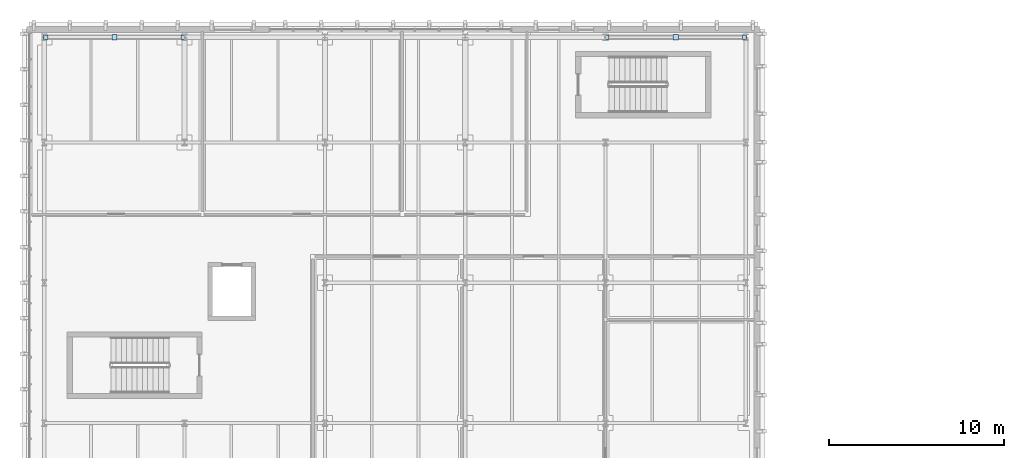
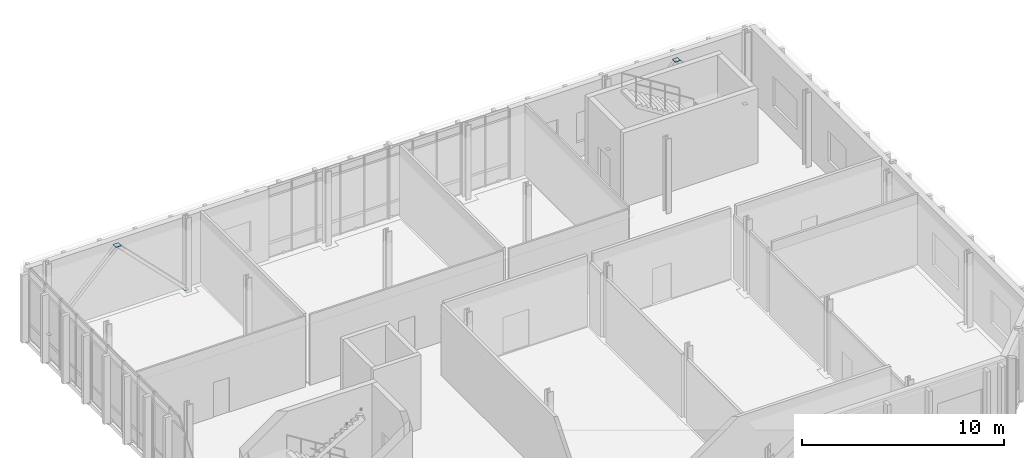
# One storey, part 40 of 62: 6 plates.
"""IFC4 building model written with IfcOpenShell, lengths in metres."""

from ifc_helpers import new_model, si_unit, direction, frame, origin, origin_2d, place, context, subcontext, project, spatial, rectangle, extrude, material, layer, layer_set, type_object, element, save


model = new_model("IFC4")

# Units and contexts
model_context = context("Model", 3, precision=1e-05, world=origin(), true_north=direction((0.0, 1.0)))
body_context = subcontext(model_context, "Body", "Model", "MODEL_VIEW")
ifc_project = project(units=[si_unit("LENGTHUNIT", "METRE"), si_unit("AREAUNIT", "SQUARE_METRE"), si_unit("VOLUMEUNIT", "CUBIC_METRE"), si_unit("PLANEANGLEUNIT", "RADIAN"), si_unit("MASSUNIT", "GRAM", prefix="KILO")], contexts=[model_context])

# Site, building, storey
site_placement = place(None, origin())
site = spatial("IfcSite", under=ifc_project, at=site_placement, CompositionType="ELEMENT")
building_placement = place(site_placement, origin())
building = spatial("IfcBuilding", under=site, at=building_placement, Name="Cymarion Research Institute", CompositionType="ELEMENT")
storey_placement = place(building_placement, frame((0.0, 0.0, 18.300048828125)))
storey = spatial("IfcBuildingStorey", under=building, at=storey_placement, Name="L04", CompositionType="ELEMENT", Elevation=18.300048828125)

# Plates
ifc_material = material(Name="Steel S355", Category="steel")
ifc_layer_1 = layer(ifc_material, 0.01806640625)
ifc_layer_set_1 = layer_set([ifc_layer_1], Name="Steel S355")
plate_type_1 = type_object("IfcPlateType", Name="STEEL NODE GUSSET PLATE CP01 18MM", PredefinedType="USERDEFINED", material=ifc_layer_set_1)
for number, where, z_axis, x_axis, name in (
    (1, (10.60009765625, 115.5, 4.130859375), (0.0, 0.0, 1.0), (1.0, 0.0, 0.0), "L04 V5 chevron apex gusset plate"),
    (2, (42.60009765625, 115.5, 4.130859375), (0.0, 0.0, 1.0), (1.0, 0.0, 0.0), "L04 V5 chevron apex gusset plate"),
):
    element("IfcPlate", number, at=place(storey_placement, frame(where, z_axis=z_axis, x_axis=x_axis)), inside=storey, type_object=plate_type_1, Name=name, ObjectType="GUSSET PLATE", PredefinedType="USERDEFINED", context=body_context, shape_type="SweptSolid", body=[
        extrude(rectangle(XDim=0.300048828125, YDim=0.300048828125, at=origin_2d()), origin(), (0.0, 0.0, 1.0), 0.01806640625),
    ])
ifc_layer_2 = layer(ifc_material, 0.011962890625)
ifc_layer_set_2 = layer_set([ifc_layer_2], Name="Steel S355")
plate_type_2 = type_object("IfcPlateType", Name="STEEL NODE GUSSET PLATE CP02 12MM", PredefinedType="USERDEFINED", material=ifc_layer_set_2)
for number, where, z_axis, x_axis, name in (
    (3, (6.6845703125, 115.5, 0.11376953125), (0.0, 0.0, 1.0), (1.0, 0.0, 0.0), "L04 V5 chevron base gusset plate #1"),
    (4, (14.515380859375, 115.5, 0.11376953125), (0.0, 0.0, 1.0), (1.0, 0.0, 0.0), "L04 V5 chevron base gusset plate #2"),
    (5, (38.6845703125, 115.5, 0.11376953125), (0.0, 0.0, 1.0), (1.0, 0.0, 0.0), "L04 V5 chevron base gusset plate #1"),
    (6, (46.515380859375, 115.5, 0.11376953125), (0.0, 0.0, 1.0), (1.0, 0.0, 0.0), "L04 V5 chevron base gusset plate #2"),
):
    element("IfcPlate", number, at=place(storey_placement, frame(where, z_axis=z_axis, x_axis=x_axis)), inside=storey, type_object=plate_type_2, Name=name, ObjectType="GUSSET PLATE", PredefinedType="USERDEFINED", context=body_context, shape_type="SweptSolid", body=[
        extrude(rectangle(XDim=0.239990234375, YDim=0.239990234375, at=origin_2d()), origin(), (0.0, 0.0, 1.0), 0.011962890625),
    ])

save(model, "model.ifc")
